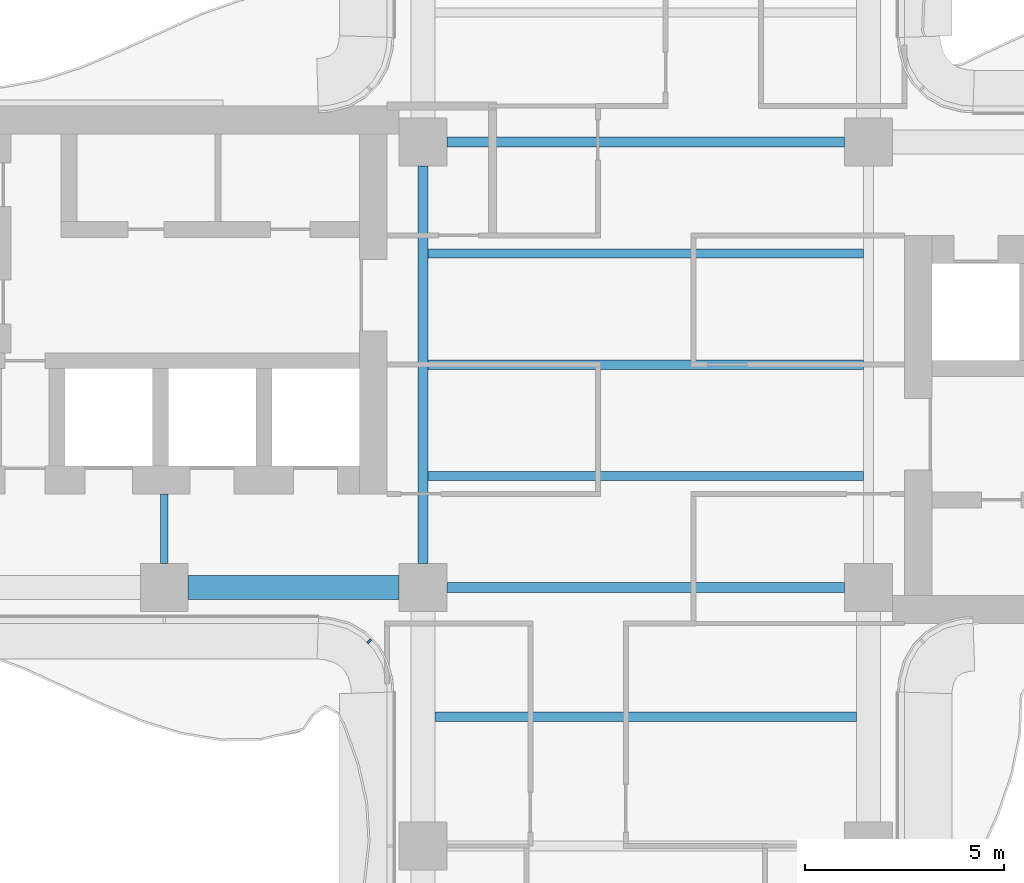
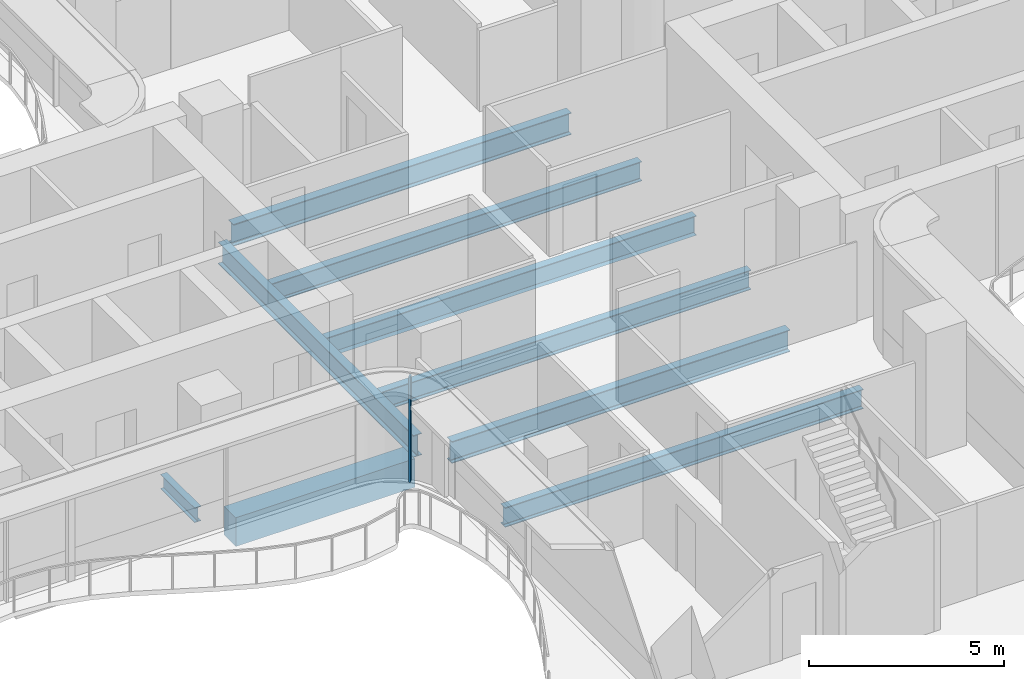
# One storey, part 4 of 17: 9 beams, 1 member, 1 element without a shape of its own.
"""IFC4 building model written with IfcOpenShell, lengths in metres."""

from ifc_helpers import new_model, si_unit, direction, frame, origin, origin_2d, place, context, subcontext, project, spatial, rectangle, i_section, extrude, source, transform, mapped, material, layer, layer_set, material_profile, profile_set, type_object, element, aggregate, save


model = new_model("IFC4")

# Units and contexts
model_context = context("Model", 3, precision=1e-05, world=origin(), true_north=direction((0.0, 1.0)))
body_context = subcontext(model_context, "Body", "Model", "MODEL_VIEW")
ifc_project = project(units=[si_unit("LENGTHUNIT", "METRE"), si_unit("AREAUNIT", "SQUARE_METRE"), si_unit("VOLUMEUNIT", "CUBIC_METRE"), si_unit("PLANEANGLEUNIT", "RADIAN"), si_unit("MASSUNIT", "GRAM", prefix="KILO")], contexts=[model_context])

# Site, building, storey
site_placement = place(None, origin())
site = spatial("IfcSite", under=ifc_project, at=site_placement, CompositionType="ELEMENT")
building_placement = place(site_placement, origin())
building = spatial("IfcBuilding", under=site, at=building_placement, Name="Trellis Farm Tower", CompositionType="ELEMENT")
storey_placement = place(building_placement, frame((0.0, 0.0, 208.800048828125)))
storey = spatial("IfcBuildingStorey", under=building, at=storey_placement, Name="L46", CompositionType="ELEMENT", Elevation=208.800048828125)

# Beams
ifc_material_1 = material(Name="Concrete C60/75", Category="concrete")
ifc_material_profile_1 = material_profile(ifc_material_1, rectangle(XDim=0.60009765625, YDim=0.89990234375, at=origin_2d()), Name="RC spandrel beam 600x900 C60/75")
ifc_profile_set_1 = profile_set([ifc_material_profile_1], Name="Concrete C60/75")
beam_type_1 = type_object("IfcBeamType", Name="RC spandrel beam 600x900 C60/75", PredefinedType="SPANDREL", material=ifc_profile_set_1)
shared_shape_1 = source(origin(), body_context, "Body", "SweptSolid", [
    extrude(rectangle(XDim=0.60009765625, YDim=0.89990234375, at=origin_2d()), origin(), (0.0, 0.0, 1.0), 5.300048828125),
])
beam_1_placement = place(storey_placement, frame((-11.5, -5.60009765625, -0.650146484375), z_axis=(1.0, 0.0, 0.0), x_axis=(0.0, 1.0, 0.0)))
element("IfcBeam", 1, at=beam_1_placement, inside=storey, type_object=beam_type_1, Name="Girder", PredefinedType="SPANDREL", context=body_context, shape_type="MappedRepresentation", body=[
    mapped(shared_shape_1, transform((0.0, 0.0, 0.0))),
])
ifc_material_2 = material(Name="Steel S355", Category="steel")
ifc_material_profile_2 = material_profile(ifc_material_2, i_section(OverallWidth=0.253662109375, OverallDepth=0.68359375, WebThickness=0.012451171875, FlangeThickness=0.021728515625, FilletRadius=0.01513671875, at=origin_2d()), Name="UB 686x254x140")
ifc_profile_set_2 = profile_set([ifc_material_profile_2], Name="Steel S355")
beam_type_2 = type_object("IfcBeamType", Name="UB 686x254x140", PredefinedType="BEAM", material=ifc_profile_set_2)
shared_shape_2 = source(origin(), body_context, "Body", "SweptSolid", [
    extrude(i_section(OverallWidth=0.253662109375, OverallDepth=0.68359375, WebThickness=0.012451171875, FlangeThickness=0.021728515625, FilletRadius=0.01513671875, at=origin_2d()), origin(), (0.0, 0.0, 1.0), 10.0),
])
for number, where, z_axis, x_axis, name in (
    (2, (-5.0, -5.60009765625, -0.541748046875), (1.0, 0.0, 0.0), (0.0, 1.0, 0.0), "Girder"),
    (3, (-5.0, 5.60009765625, -0.541748046875), (1.0, 0.0, 0.0), (0.0, 1.0, 0.0), "Girder"),
    (4, (-5.60009765625, -5.0, -0.541748046875), (0.0, 1.0, 0.0), (-1.0, 0.0, 0.0), "Girder"),
):
    element("IfcBeam", number, at=place(storey_placement, frame(where, z_axis=z_axis, x_axis=x_axis)), inside=storey, type_object=beam_type_2, Name=name, PredefinedType="BEAM", context=body_context, shape_type="MappedRepresentation", body=[
        mapped(shared_shape_2, transform((0.0, 0.0, 0.0))),
    ])
ifc_material_profile_3 = material_profile(ifc_material_2, i_section(OverallWidth=0.1904296875, OverallDepth=0.45703125, WebThickness=0.009033203125, FlangeThickness=0.014404296875, FilletRadius=0.01025390625, at=origin_2d()), Name="UB 457x191x74")
ifc_profile_set_3 = profile_set([ifc_material_profile_3], Name="Steel S355")
beam_type_3 = type_object("IfcBeamType", Name="UB 457x191x74", PredefinedType="BEAM", material=ifc_profile_set_3)
shared_shape_3 = source(origin(), body_context, "Body", "SweptSolid", [
    extrude(i_section(OverallWidth=0.1904296875, OverallDepth=0.45703125, WebThickness=0.009033203125, FlangeThickness=0.014404296875, FilletRadius=0.01025390625, at=origin_2d()), origin(), (0.0, 0.0, 1.0), 1.75),
])
beam_2_placement = place(storey_placement, frame((-12.10009765625, -5.0, -0.428466796875), z_axis=(0.0, 1.0, 0.0), x_axis=(-1.0, 0.0, 0.0)))
element("IfcBeam", 5, at=beam_2_placement, inside=storey, type_object=beam_type_3, Name="Girder", PredefinedType="BEAM", context=body_context, shape_type="MappedRepresentation", body=[
    mapped(shared_shape_3, transform((0.0, 0.0, 0.0))),
])
ifc_material_profile_4 = material_profile(ifc_material_2, i_section(OverallWidth=0.22900390625, OverallDepth=0.6123046875, WebThickness=0.011962890625, FlangeThickness=0.01953125, FilletRadius=0.0126953125, at=origin_2d()), Name="UB 610x229x125")
ifc_profile_set_4 = profile_set([ifc_material_profile_4], Name="Steel S355")
beam_type_4 = type_object("IfcBeamType", Name="UB 610x229x125 joist", PredefinedType="JOIST", material=ifc_profile_set_4)
shared_shape_4 = source(origin(), body_context, "Body", "SweptSolid", [
    extrude(i_section(OverallWidth=0.22900390625, OverallDepth=0.6123046875, WebThickness=0.011962890625, FlangeThickness=0.01953125, FilletRadius=0.0126953125, at=origin_2d()), origin(), (0.0, 0.0, 1.0), 10.9462890625),
])
for number, where, z_axis, x_axis, name in (
    (6, (-5.47314453125, -2.800048828125, -0.506103515625), (1.0, 0.0, 0.0), (0.0, 1.0, 0.0), "Floor beam"),
    (7, (-5.47314453125, 0.0, -0.506103515625), (1.0, 0.0, 0.0), (0.0, 1.0, 0.0), "Floor beam"),
    (8, (-5.47314453125, 2.800048828125, -0.506103515625), (1.0, 0.0, 0.0), (0.0, 1.0, 0.0), "Floor beam"),
):
    element("IfcBeam", number, at=place(storey_placement, frame(where, z_axis=z_axis, x_axis=x_axis)), inside=storey, type_object=beam_type_4, Name=name, PredefinedType="JOIST", context=body_context, shape_type="MappedRepresentation", body=[
        mapped(shared_shape_4, transform((0.0, 0.0, 0.0))),
    ])
shared_shape_5 = source(origin(), body_context, "Body", "SweptSolid", [
    extrude(i_section(OverallWidth=0.22900390625, OverallDepth=0.6123046875, WebThickness=0.011962890625, FlangeThickness=0.01953125, FilletRadius=0.0126953125, at=origin_2d()), origin(), (0.0, 0.0, 1.0), 10.60009765625),
])
beam_3_placement = place(storey_placement, frame((-5.300048828125, -8.85009765625, -0.506103515625), z_axis=(1.0, 0.0, 0.0), x_axis=(0.0, 1.0, 0.0)))
element("IfcBeam", 9, at=beam_3_placement, inside=storey, type_object=beam_type_4, Name="Floor beam", PredefinedType="JOIST", context=body_context, shape_type="MappedRepresentation", body=[
    mapped(shared_shape_5, transform((0.0, 0.0, 0.0))),
])

# Curtain wall, member
ifc_material_3 = material(Name="Aluminium and glass curtain wall", Category="aluminium")
ifc_layer = layer(ifc_material_3, 0.166015625)
ifc_layer_set = layer_set([ifc_layer], Name="WINTER GARDEN CURTAIN WALL CW3")
curtain_wall_type = type_object("IfcCurtainWallType", Name="WINTER GARDEN CURTAIN WALL CW3", PredefinedType="NOTDEFINED", material=ifc_layer_set)
curtain_wall_placement = place(storey_placement, origin())
curtain_wall = element("IfcCurtainWall", 10, at=curtain_wall_placement, inside=storey, type_object=curtain_wall_type, Name="CW3 001", PredefinedType="NOTDEFINED")
ifc_material_4 = material(Name="Aluminium extrusion 6063-T6", Category="aluminium")
ifc_material_profile_5 = material_profile(ifc_material_4, rectangle(XDim=0.050048828125, YDim=0.1201171875, at=origin_2d()), Name="MULLION 50x120")
ifc_profile_set_5 = profile_set([ifc_material_profile_5], Name="Aluminium extrusion 6063-T6")
member_type = type_object("IfcMemberType", Name="CW3 MULLION 50x120", PredefinedType="MULLION", material=ifc_profile_set_5)
shared_shape_6 = source(origin(), body_context, "Body", "SweptSolid", [
    extrude(rectangle(XDim=0.050048828125, YDim=0.1201171875, at=origin_2d()), origin(), (0.0, 0.0, 1.0), 3.300048828125),
])
member_placement = place(storey_placement, frame((-6.953125, -6.953125, 0.0), z_axis=(0.0, 0.0, 1.0), x_axis=(0.707106781187, -0.707106781187, 0.0)))
member = element("IfcMember", 11, at=member_placement, type_object=member_type, Name="MU3 001-01", PredefinedType="MULLION", context=body_context, shape_type="MappedRepresentation", body=[
    mapped(shared_shape_6, transform((0.0, 0.0, 0.0))),
])
aggregate(curtain_wall, [member])

save(model, "model.ifc")
